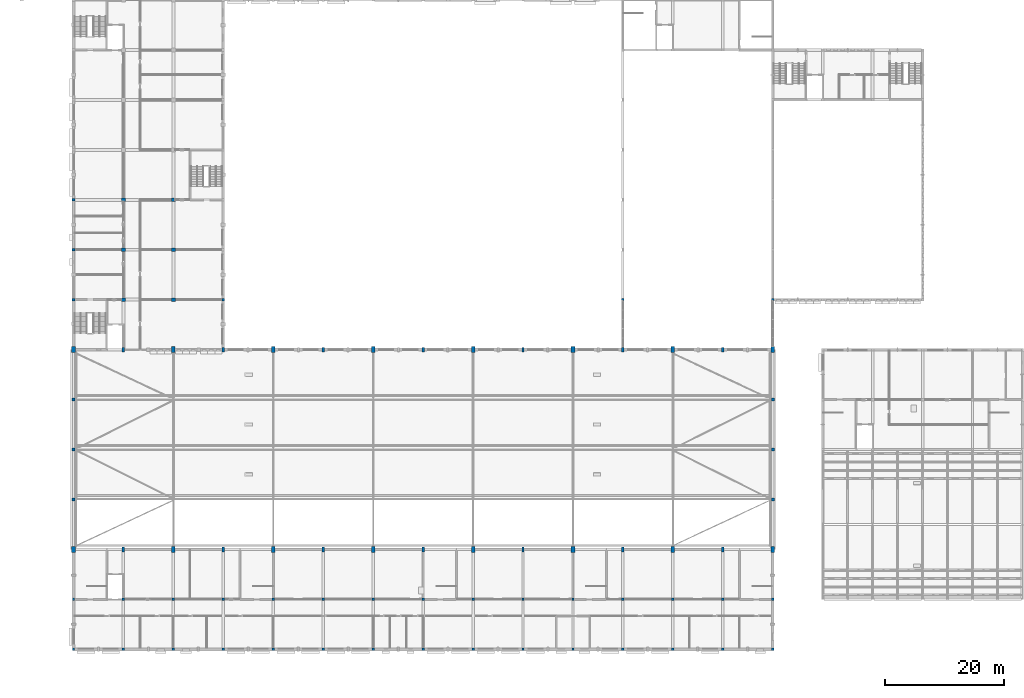
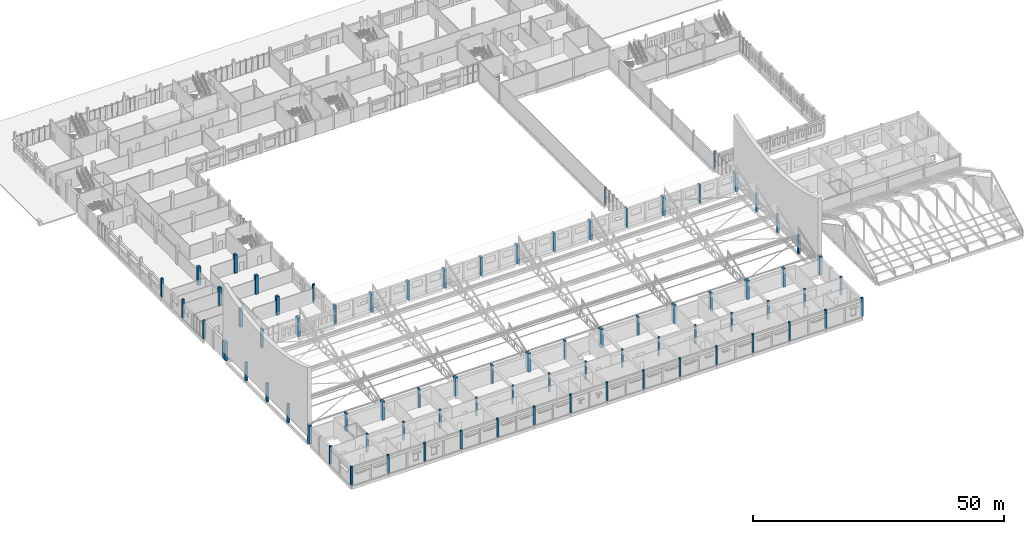
# One storey, part 2 of 101: 78 columns.
"""IFC4 building model written with IfcOpenShell, lengths in metres."""

from ifc_helpers import new_model, si_unit, direction, frame, origin, origin_2d, place, context, subcontext, project, spatial, rectangle, extrude, material, material_profile, profile_set, type_object, element, save


model = new_model("IFC4")

# Units and contexts
model_context = context("Model", 3, precision=1e-05, world=origin(), true_north=direction((0.0, 1.0)))
body_context = subcontext(model_context, "Body", "Model", "MODEL_VIEW")
ifc_project = project(units=[si_unit("LENGTHUNIT", "METRE"), si_unit("AREAUNIT", "SQUARE_METRE"), si_unit("VOLUMEUNIT", "CUBIC_METRE"), si_unit("PLANEANGLEUNIT", "RADIAN"), si_unit("MASSUNIT", "GRAM", prefix="KILO")], contexts=[model_context])

# Site, building, storey
site_placement = place(None, origin())
site = spatial("IfcSite", under=ifc_project, at=site_placement, CompositionType="ELEMENT")
building_placement = place(site_placement, origin())
building = spatial("IfcBuilding", under=site, at=building_placement, Name="Fescue Hill Polytechnic", CompositionType="ELEMENT")
storey_placement = place(building_placement, frame((0.0, 0.0, 9.0)))
storey = spatial("IfcBuildingStorey", under=building, at=storey_placement, Name="L02", CompositionType="ELEMENT", Elevation=9.0)

# Columns
ifc_material = material(Name="Concrete 40 MPa", Category="concrete")
ifc_material_profile_1 = material_profile(ifc_material, rectangle(XDim=0.39990234375, YDim=0.39990234375, at=origin_2d()), Name="RC 400x400")
ifc_profile_set_1 = profile_set([ifc_material_profile_1], Name="Concrete 40 MPa")
column_type_1 = type_object("IfcColumnType", Name="Column RC 400x400", PredefinedType="COLUMN", material=ifc_profile_set_1)
for number, where, z_axis, x_axis, name in (
    (1, (0.0, 0.0, 0.0), (0.0, 0.0, 1.0), (1.0, 0.0, 0.0), "COL-L02-V1-001"),
    (2, (0.0, 8.39990234375, 0.0), (0.0, 0.0, 1.0), (1.0, 0.0, 0.0), "COL-L02-V1-002"),
    (3, (8.39990234375, 0.0, 0.0), (0.0, 0.0, 1.0), (1.0, 0.0, 0.0), "COL-L02-V1-008"),
    (4, (8.39990234375, 8.39990234375, 0.0), (0.0, 0.0, 1.0), (1.0, 0.0, 0.0), "COL-L02-V1-009"),
    (5, (16.800048828125, 0.0, 0.0), (0.0, 0.0, 1.0), (1.0, 0.0, 0.0), "COL-L02-V1-012"),
    (6, (16.800048828125, 8.39990234375, 0.0), (0.0, 0.0, 1.0), (1.0, 0.0, 0.0), "COL-L02-V1-013"),
    (7, (25.199951171875, 0.0, 0.0), (0.0, 0.0, 1.0), (1.0, 0.0, 0.0), "COL-L02-V1-016"),
    (8, (25.199951171875, 8.39990234375, 0.0), (0.0, 0.0, 1.0), (1.0, 0.0, 0.0), "COL-L02-V1-017"),
    (9, (33.60009765625, 0.0, 0.0), (0.0, 0.0, 1.0), (1.0, 0.0, 0.0), "COL-L02-V1-020"),
    (10, (33.60009765625, 8.39990234375, 0.0), (0.0, 0.0, 1.0), (1.0, 0.0, 0.0), "COL-L02-V1-021"),
    (11, (42.0, 0.0, 0.0), (0.0, 0.0, 1.0), (1.0, 0.0, 0.0), "COL-L02-V1-024"),
    (12, (42.0, 8.39990234375, 0.0), (0.0, 0.0, 1.0), (1.0, 0.0, 0.0), "COL-L02-V1-025"),
    (13, (50.39990234375, 0.0, 0.0), (0.0, 0.0, 1.0), (1.0, 0.0, 0.0), "COL-L02-V1-028"),
    (14, (50.39990234375, 8.39990234375, 0.0), (0.0, 0.0, 1.0), (1.0, 0.0, 0.0), "COL-L02-V1-029"),
    (15, (58.800048828125, 0.0, 0.0), (0.0, 0.0, 1.0), (1.0, 0.0, 0.0), "COL-L02-V1-032"),
    (16, (58.800048828125, 8.39990234375, 0.0), (0.0, 0.0, 1.0), (1.0, 0.0, 0.0), "COL-L02-V1-033"),
    (17, (67.199951171875, 0.0, 0.0), (0.0, 0.0, 1.0), (1.0, 0.0, 0.0), "COL-L02-V1-036"),
    (18, (67.199951171875, 8.39990234375, 0.0), (0.0, 0.0, 1.0), (1.0, 0.0, 0.0), "COL-L02-V1-037"),
    (19, (75.60009765625, 0.0, 0.0), (0.0, 0.0, 1.0), (1.0, 0.0, 0.0), "COL-L02-V1-040"),
    (20, (75.60009765625, 8.39990234375, 0.0), (0.0, 0.0, 1.0), (1.0, 0.0, 0.0), "COL-L02-V1-041"),
    (21, (84.0, 0.0, 0.0), (0.0, 0.0, 1.0), (1.0, 0.0, 0.0), "COL-L02-V1-044"),
    (22, (84.0, 8.39990234375, 0.0), (0.0, 0.0, 1.0), (1.0, 0.0, 0.0), "COL-L02-V1-045"),
    (23, (92.39990234375, 0.0, 0.0), (0.0, 0.0, 1.0), (1.0, 0.0, 0.0), "COL-L02-V1-048"),
    (24, (92.39990234375, 8.39990234375, 0.0), (0.0, 0.0, 1.0), (1.0, 0.0, 0.0), "COL-L02-V1-049"),
    (25, (100.800048828125, 0.0, 0.0), (0.0, 0.0, 1.0), (1.0, 0.0, 0.0), "COL-L02-V1-052"),
    (26, (100.800048828125, 8.39990234375, 0.0), (0.0, 0.0, 1.0), (1.0, 0.0, 0.0), "COL-L02-V1-053"),
    (27, (109.199951171875, 0.0, 0.0), (0.0, 0.0, 1.0), (1.0, 0.0, 0.0), "COL-L02-V1-056"),
    (28, (109.199951171875, 8.39990234375, 0.0), (0.0, 0.0, 1.0), (1.0, 0.0, 0.0), "COL-L02-V1-057"),
    (29, (117.60009765625, 0.0, 0.0), (0.0, 0.0, 1.0), (1.0, 0.0, 0.0), "COL-L02-V1-060"),
    (30, (117.60009765625, 8.39990234375, 0.0), (0.0, 0.0, 1.0), (1.0, 0.0, 0.0), "COL-L02-V1-061"),
    (31, (92.39990234375, 58.800048828125, 0.0), (0.0, 0.0, 1.0), (1.0, 0.0, 0.0), "COL-L02-V6-004"),
    (32, (117.60009765625, 58.800048828125, 0.0), (0.0, 0.0, 1.0), (1.0, 0.0, 0.0), "COL-L02-V2-009"),
):
    element("IfcColumn", number, at=place(storey_placement, frame(where, z_axis=z_axis, x_axis=x_axis)), inside=storey, type_object=column_type_1, Name=name, PredefinedType="COLUMN", context=body_context, shape_type="SweptSolid", body=[
        extrude(rectangle(XDim=0.39990234375, YDim=0.39990234375, at=origin_2d()), origin(), (0.0, 0.0, 1.0), 4.5),
    ])
ifc_material_profile_2 = material_profile(ifc_material, rectangle(XDim=0.39990234375, YDim=0.800048828125, at=origin_2d()), Name="RC 400x800")
ifc_profile_set_2 = profile_set([ifc_material_profile_2], Name="Concrete 40 MPa")
column_type_2 = type_object("IfcColumnType", Name="Column RC 400x800", PredefinedType="COLUMN", material=ifc_profile_set_2)
for number, where, z_axis, x_axis, name in (
    (33, (8.39990234375, 16.800048828125, 0.0), (0.0, 0.0, 1.0), (1.0, 0.0, 0.0), "COL-L02-V1-010"),
    (34, (8.39990234375, 50.39990234375, 0.0), (0.0, 0.0, 1.0), (1.0, 0.0, 0.0), "COL-L02-V1-011"),
    (35, (25.199951171875, 16.800048828125, 0.0), (0.0, 0.0, 1.0), (1.0, 0.0, 0.0), "COL-L02-V1-018"),
    (36, (25.199951171875, 50.39990234375, 0.0), (0.0, 0.0, 1.0), (1.0, 0.0, 0.0), "COL-L02-V1-019"),
    (37, (42.0, 16.800048828125, 0.0), (0.0, 0.0, 1.0), (1.0, 0.0, 0.0), "COL-L02-V1-026"),
    (38, (42.0, 50.39990234375, 0.0), (0.0, 0.0, 1.0), (1.0, 0.0, 0.0), "COL-L02-V1-027"),
    (39, (58.800048828125, 16.800048828125, 0.0), (0.0, 0.0, 1.0), (1.0, 0.0, 0.0), "COL-L02-V1-034"),
    (40, (58.800048828125, 50.39990234375, 0.0), (0.0, 0.0, 1.0), (1.0, 0.0, 0.0), "COL-L02-V1-035"),
    (41, (75.60009765625, 16.800048828125, 0.0), (0.0, 0.0, 1.0), (1.0, 0.0, 0.0), "COL-L02-V1-042"),
    (42, (75.60009765625, 50.39990234375, 0.0), (0.0, 0.0, 1.0), (1.0, 0.0, 0.0), "COL-L02-V1-043"),
    (43, (92.39990234375, 16.800048828125, 0.0), (0.0, 0.0, 1.0), (1.0, 0.0, 0.0), "COL-L02-V1-050"),
    (44, (92.39990234375, 50.39990234375, 0.0), (0.0, 0.0, 1.0), (1.0, 0.0, 0.0), "COL-L02-V1-051"),
    (45, (109.199951171875, 16.800048828125, 0.0), (0.0, 0.0, 1.0), (1.0, 0.0, 0.0), "COL-L02-V1-058"),
    (46, (109.199951171875, 50.39990234375, 0.0), (0.0, 0.0, 1.0), (1.0, 0.0, 0.0), "COL-L02-V1-059"),
):
    element("IfcColumn", number, at=place(storey_placement, frame(where, z_axis=z_axis, x_axis=x_axis)), inside=storey, type_object=column_type_2, Name=name, PredefinedType="COLUMN", context=body_context, shape_type="SweptSolid", body=[
        extrude(rectangle(XDim=0.39990234375, YDim=0.800048828125, at=origin_2d()), origin(), (0.0, 0.0, 1.0), 4.5),
    ])
ifc_material_profile_3 = material_profile(ifc_material, rectangle(XDim=0.449951171875, YDim=0.449951171875, at=origin_2d()), Name="RC 450x450")
ifc_profile_set_3 = profile_set([ifc_material_profile_3], Name="Concrete 40 MPa")
column_type_3 = type_object("IfcColumnType", Name="Column RC 450x450", PredefinedType="COLUMN", material=ifc_profile_set_3)
for number, where, z_axis, x_axis, name in (
    (47, (0.0, 58.800048828125, 0.0), (0.0, 0.0, 1.0), (1.0, 0.0, 0.0), "COL-L02-V4-001"),
    (48, (0.0, 67.199951171875, 0.0), (0.0, 0.0, 1.0), (1.0, 0.0, 0.0), "COL-L02-V4-002"),
    (49, (0.0, 75.60009765625, 0.0), (0.0, 0.0, 1.0), (1.0, 0.0, 0.0), "COL-L02-V4-003"),
    (50, (25.199951171875, 58.800048828125, 0.0), (0.0, 0.0, 1.0), (1.0, 0.0, 0.0), "COL-L02-V4-022"),
):
    element("IfcColumn", number, at=place(storey_placement, frame(where, z_axis=z_axis, x_axis=x_axis)), inside=storey, type_object=column_type_3, Name=name, PredefinedType="COLUMN", context=body_context, shape_type="SweptSolid", body=[
        extrude(rectangle(XDim=0.449951171875, YDim=0.449951171875, at=origin_2d()), origin(), (0.0, 0.0, 1.0), 4.5),
    ])
ifc_material_profile_4 = material_profile(ifc_material, rectangle(XDim=0.5, YDim=0.5, at=origin_2d()), Name="RC 500x500")
ifc_profile_set_4 = profile_set([ifc_material_profile_4], Name="Concrete 40 MPa")
column_type_4 = type_object("IfcColumnType", Name="Column RC 500x500", PredefinedType="COLUMN", material=ifc_profile_set_4)
for number, where, z_axis, x_axis, name in (
    (51, (0.0, 25.199951171875, 0.0), (0.0, 0.0, 1.0), (1.0, 0.0, 0.0), "COL-L02-V1-004"),
    (52, (0.0, 33.60009765625, 0.0), (0.0, 0.0, 1.0), (1.0, 0.0, 0.0), "COL-L02-V1-005"),
    (53, (0.0, 42.0, 0.0), (0.0, 0.0, 1.0), (1.0, 0.0, 0.0), "COL-L02-V1-006"),
    (54, (117.60009765625, 25.199951171875, 0.0), (0.0, 0.0, 1.0), (1.0, 0.0, 0.0), "COL-L02-V1-063"),
    (55, (117.60009765625, 33.60009765625, 0.0), (0.0, 0.0, 1.0), (1.0, 0.0, 0.0), "COL-L02-V1-064"),
    (56, (117.60009765625, 42.0, 0.0), (0.0, 0.0, 1.0), (1.0, 0.0, 0.0), "COL-L02-V1-065"),
):
    element("IfcColumn", number, at=place(storey_placement, frame(where, z_axis=z_axis, x_axis=x_axis)), inside=storey, type_object=column_type_4, Name=name, PredefinedType="COLUMN", context=body_context, shape_type="SweptSolid", body=[
        extrude(rectangle(XDim=0.5, YDim=0.5, at=origin_2d()), origin(), (0.0, 0.0, 1.0), 4.5),
    ])
ifc_material_profile_5 = material_profile(ifc_material, rectangle(XDim=0.60009765625, YDim=1.0, at=origin_2d()), Name="RC 600x1000")
ifc_profile_set_5 = profile_set([ifc_material_profile_5], Name="Concrete 40 MPa")
column_type_5 = type_object("IfcColumnType", Name="Column RC 600x1000", PredefinedType="COLUMN", material=ifc_profile_set_5)
for number, where, z_axis, x_axis, name in (
    (57, (0.0, 16.800048828125, 0.0), (0.0, 0.0, 1.0), (1.0, 0.0, 0.0), "COL-L02-V1-003"),
    (58, (0.0, 50.39990234375, 0.0), (0.0, 0.0, 1.0), (1.0, 0.0, 0.0), "COL-L02-V1-007"),
    (59, (16.800048828125, 16.800048828125, 0.0), (0.0, 0.0, 1.0), (1.0, 0.0, 0.0), "COL-L02-V1-014"),
    (60, (16.800048828125, 50.39990234375, 0.0), (0.0, 0.0, 1.0), (1.0, 0.0, 0.0), "COL-L02-V1-015"),
    (61, (33.60009765625, 16.800048828125, 0.0), (0.0, 0.0, 1.0), (1.0, 0.0, 0.0), "COL-L02-V1-022"),
    (62, (33.60009765625, 50.39990234375, 0.0), (0.0, 0.0, 1.0), (1.0, 0.0, 0.0), "COL-L02-V1-023"),
    (63, (50.39990234375, 16.800048828125, 0.0), (0.0, 0.0, 1.0), (1.0, 0.0, 0.0), "COL-L02-V1-030"),
    (64, (50.39990234375, 50.39990234375, 0.0), (0.0, 0.0, 1.0), (1.0, 0.0, 0.0), "COL-L02-V1-031"),
    (65, (67.199951171875, 16.800048828125, 0.0), (0.0, 0.0, 1.0), (1.0, 0.0, 0.0), "COL-L02-V1-038"),
    (66, (67.199951171875, 50.39990234375, 0.0), (0.0, 0.0, 1.0), (1.0, 0.0, 0.0), "COL-L02-V1-039"),
    (67, (84.0, 16.800048828125, 0.0), (0.0, 0.0, 1.0), (1.0, 0.0, 0.0), "COL-L02-V1-046"),
    (68, (84.0, 50.39990234375, 0.0), (0.0, 0.0, 1.0), (1.0, 0.0, 0.0), "COL-L02-V1-047"),
    (69, (100.800048828125, 16.800048828125, 0.0), (0.0, 0.0, 1.0), (1.0, 0.0, 0.0), "COL-L02-V1-054"),
    (70, (100.800048828125, 50.39990234375, 0.0), (0.0, 0.0, 1.0), (1.0, 0.0, 0.0), "COL-L02-V1-055"),
    (71, (117.60009765625, 16.800048828125, 0.0), (0.0, 0.0, 1.0), (1.0, 0.0, 0.0), "COL-L02-V1-062"),
    (72, (117.60009765625, 50.39990234375, 0.0), (0.0, 0.0, 1.0), (1.0, 0.0, 0.0), "COL-L02-V1-066"),
):
    element("IfcColumn", number, at=place(storey_placement, frame(where, z_axis=z_axis, x_axis=x_axis)), inside=storey, type_object=column_type_5, Name=name, PredefinedType="COLUMN", context=body_context, shape_type="SweptSolid", body=[
        extrude(rectangle(XDim=0.60009765625, YDim=1.0, at=origin_2d()), origin(), (0.0, 0.0, 1.0), 4.5),
    ])
ifc_material_profile_6 = material_profile(ifc_material, rectangle(XDim=0.64990234375, YDim=0.64990234375, at=origin_2d()), Name="RC 650x650")
ifc_profile_set_6 = profile_set([ifc_material_profile_6], Name="Concrete 40 MPa")
column_type_6 = type_object("IfcColumnType", Name="Column RC 650x650", PredefinedType="COLUMN", material=ifc_profile_set_6)
for number, where, z_axis, x_axis, name in (
    (73, (8.39990234375, 58.800048828125, 0.0), (0.0, 0.0, 1.0), (1.0, 0.0, 0.0), "COL-L02-V4-008"),
    (74, (8.39990234375, 67.199951171875, 0.0), (0.0, 0.0, 1.0), (1.0, 0.0, 0.0), "COL-L02-V4-009"),
    (75, (8.39990234375, 75.60009765625, 0.0), (0.0, 0.0, 1.0), (1.0, 0.0, 0.0), "COL-L02-V4-010"),
    (76, (16.800048828125, 58.800048828125, 0.0), (0.0, 0.0, 1.0), (1.0, 0.0, 0.0), "COL-L02-V4-015"),
    (77, (16.800048828125, 67.199951171875, 0.0), (0.0, 0.0, 1.0), (1.0, 0.0, 0.0), "COL-L02-V4-016"),
    (78, (16.800048828125, 75.60009765625, 0.0), (0.0, 0.0, 1.0), (1.0, 0.0, 0.0), "COL-L02-V4-017"),
):
    element("IfcColumn", number, at=place(storey_placement, frame(where, z_axis=z_axis, x_axis=x_axis)), inside=storey, type_object=column_type_6, Name=name, PredefinedType="COLUMN", context=body_context, shape_type="SweptSolid", body=[
        extrude(rectangle(XDim=0.64990234375, YDim=0.64990234375, at=origin_2d()), origin(), (0.0, 0.0, 1.0), 4.5),
    ])

save(model, "model.ifc")
